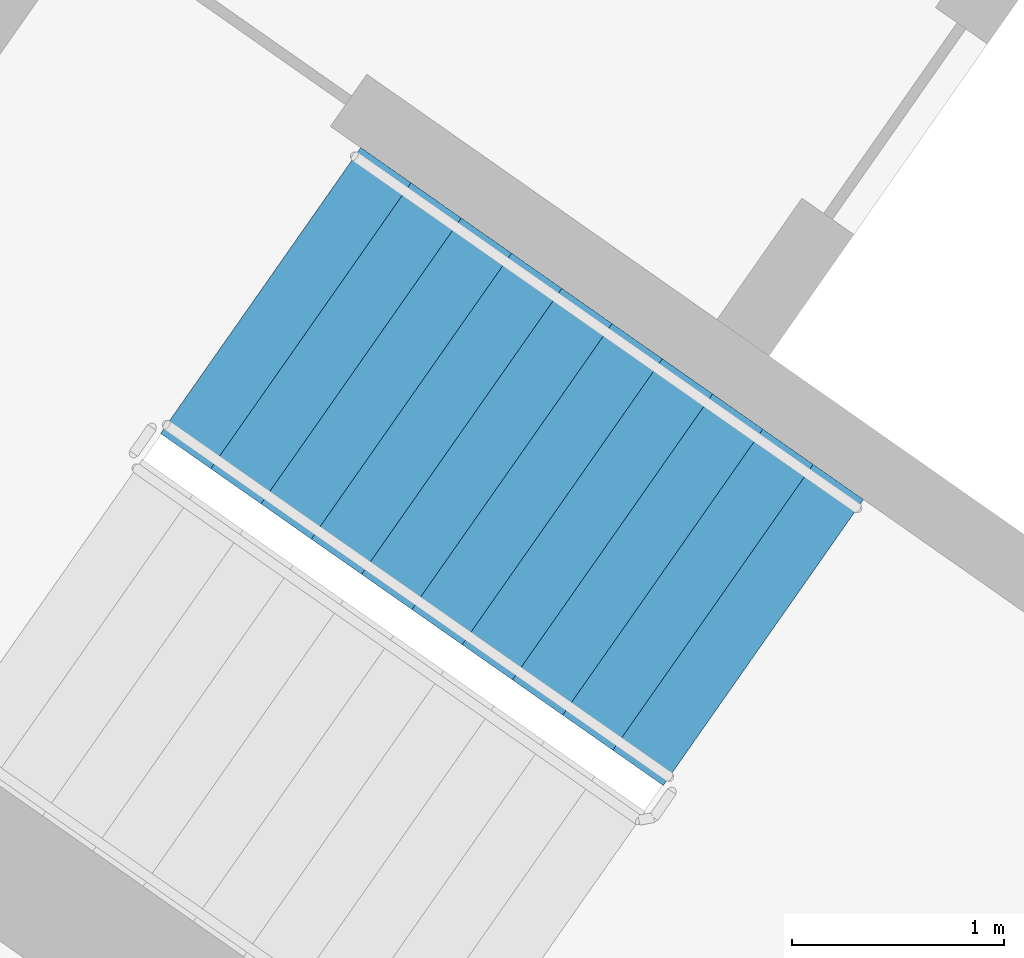
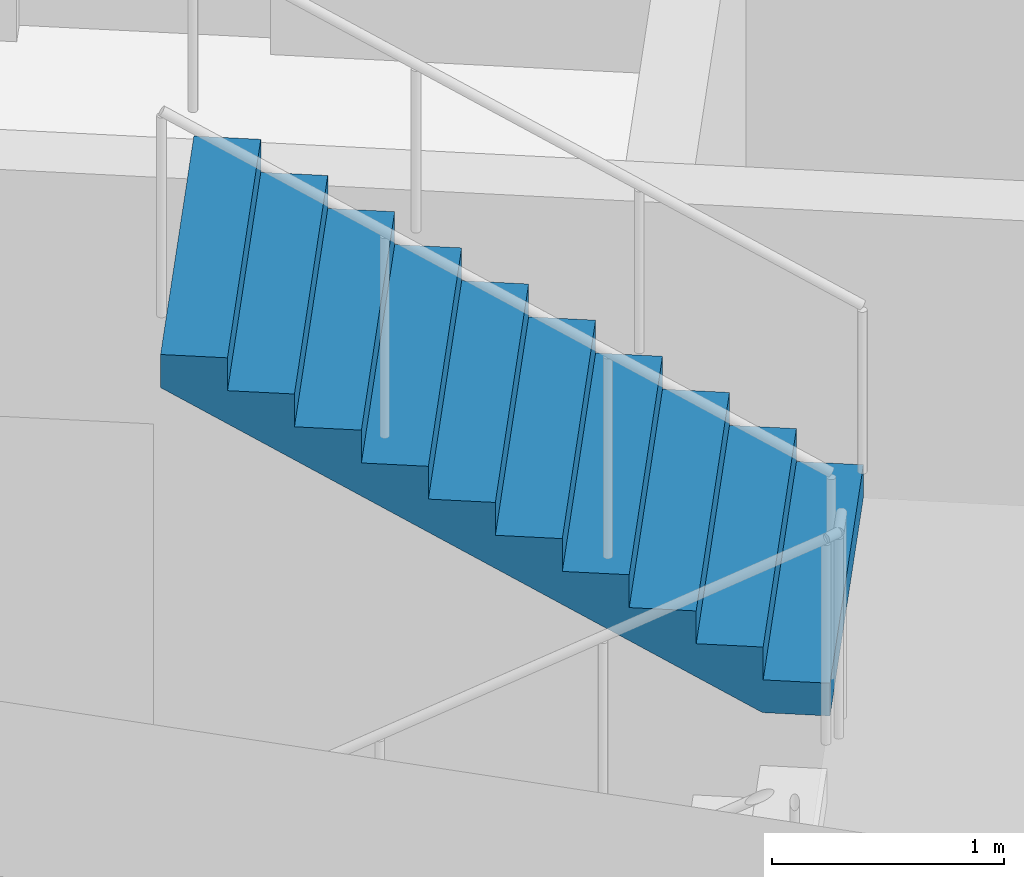
# One storey, part 10 of 27: 1 stair flight, 1 element without a shape of its own.
"""IFC4 building model written with IfcOpenShell, lengths in metres."""

from ifc_helpers import new_model, si_unit, direction, frame, origin, place, context, subcontext, project, spatial, faceted_brep, material, type_object, element, aggregate, save


model = new_model("IFC4")

# Units and contexts
model_context = context("Model", 3, precision=1e-05, world=origin(), true_north=direction((0.0, 1.0)))
body_context = subcontext(model_context, "Body", "Model", "MODEL_VIEW")
ifc_project = project(units=[si_unit("LENGTHUNIT", "METRE"), si_unit("AREAUNIT", "SQUARE_METRE"), si_unit("VOLUMEUNIT", "CUBIC_METRE"), si_unit("PLANEANGLEUNIT", "RADIAN"), si_unit("MASSUNIT", "GRAM", prefix="KILO")], contexts=[model_context])

# Site, building, storey
site_placement = place(None, origin())
site = spatial("IfcSite", under=ifc_project, at=site_placement, CompositionType="ELEMENT")
building_placement = place(site_placement, origin())
building = spatial("IfcBuilding", under=site, at=building_placement, Name="Qamariyya Broadcast Tower", CompositionType="ELEMENT")
storey_placement = place(building_placement, frame((0.0, 0.0, 280.89990234375)))
storey = spatial("IfcBuildingStorey", under=building, at=storey_placement, Name="L68", CompositionType="ELEMENT", Elevation=280.89990234375)

# Stair, stair flight
ifc_material = material(Name="Concrete C50/60", Category="concrete")
stair_type = type_object("IfcStairType", Name="Exit stair 22 risers of 173 mm", PredefinedType="HALF_TURN_STAIR", material=ifc_material)
stair_placement = place(storey_placement, origin())
stair = element("IfcStair", 1, at=stair_placement, inside=storey, type_object=stair_type, Name="L68 Stair W1", PredefinedType="HALF_TURN_STAIR")
stair_flight_type = type_object("IfcStairFlightType", Name="Exit stair flight 11 risers of 173 mm", PredefinedType="STRAIGHT", material=ifc_material)
stair_flight_placement = place(storey_placement, frame((-43.660888671875, -57.17138671875, 1.900146484375), z_axis=(0.0, 0.0, 1.0), x_axis=(-0.819152044289, 0.573576436351, 0.0)))
stair_flight = element("IfcStairFlight", 2, at=stair_flight_placement, type_object=stair_flight_type, Name="ST-W1 flight 2", NumberOfRisers=11, NumberOfTreads=10, PredefinedType="STRAIGHT", RiserHeight=0.172727273, TreadLength=0.29, context=body_context, shape_type="Brep", body=[
    faceted_brep([(0.0, 0.824951171875, 0.0), (0.0, 0.824951171875, 0.172607421875), (0.2900390625, 0.824951171875, 0.172607421875), (0.2900390625, 0.824951171875, 0.345458984375), (0.580078125, 0.824951171875, 0.345458984375), (0.580078125, 0.824951171875, 0.51806640625), (0.8701171875, 0.824951171875, 0.51806640625), (0.8701171875, 0.824951171875, 0.69091796875), (1.159912109375, 0.824951171875, 0.69091796875), (1.159912109375, 0.824951171875, 0.863525390625), (1.449951171875, 0.824951171875, 0.863525390625), (1.449951171875, 0.824951171875, 1.036376953125), (1.739990234375, 0.824951171875, 1.036376953125), (1.739990234375, 0.824951171875, 1.208984375), (2.030029296875, 0.824951171875, 1.208984375), (2.030029296875, 0.824951171875, 1.3818359375), (2.320068359375, 0.824951171875, 1.3818359375), (2.320068359375, 0.824951171875, 1.554443359375), (2.610107421875, 0.824951171875, 1.554443359375), (2.610107421875, 0.824951171875, 1.727294921875), (2.89990234375, 0.824951171875, 1.727294921875), (2.89990234375, 0.824951171875, 1.552734375), (0.29296875, 0.824951171875, 0.0), (0.29296875, -0.824951171875, 0.0), (2.89990234375, -0.824951171875, 1.552734375), (2.89990234375, -0.824951171875, 1.727294921875), (2.610107421875, -0.824951171875, 1.727294921875), (2.610107421875, -0.824951171875, 1.554443359375), (2.320068359375, -0.824951171875, 1.554443359375), (2.320068359375, -0.824951171875, 1.3818359375), (2.030029296875, -0.824951171875, 1.3818359375), (2.030029296875, -0.824951171875, 1.208984375), (1.739990234375, -0.824951171875, 1.208984375), (1.739990234375, -0.824951171875, 1.036376953125), (1.449951171875, -0.824951171875, 1.036376953125), (1.449951171875, -0.824951171875, 0.863525390625), (1.159912109375, -0.824951171875, 0.863525390625), (1.159912109375, -0.824951171875, 0.69091796875), (0.8701171875, -0.824951171875, 0.69091796875), (0.8701171875, -0.824951171875, 0.51806640625), (0.580078125, -0.824951171875, 0.51806640625), (0.580078125, -0.824951171875, 0.345458984375), (0.2900390625, -0.824951171875, 0.345458984375), (0.2900390625, -0.824951171875, 0.172607421875), (0.0, -0.824951171875, 0.172607421875), (0.0, -0.824951171875, 0.0), (0.0, 0.10009765625, 0.0), (0.0, 0.086669921875, 0.0), (0.0, 0.0732421875, 0.0), (0.0, 0.06005859375, 0.0), (0.0, 0.046630859375, 0.0), (0.0, 0.033447265625, 0.0), (0.0, 0.02001953125, 0.0), (0.0, 0.006591796875, 0.0), (0.0, -0.006591796875, 0.0), (0.0, -0.02001953125, 0.0), (0.0, -0.033447265625, 0.0), (0.0, -0.046630859375, 0.0), (0.0, -0.06005859375, 0.0), (0.0, -0.0732421875, 0.0), (0.0, -0.086669921875, 0.0), (0.0, -0.10009765625, 0.0), (0.0, -0.10009765625, 0.172607421875), (0.0, -0.086669921875, 0.172607421875), (0.0, -0.0732421875, 0.172607421875), (0.0, -0.06005859375, 0.172607421875), (0.0, -0.046630859375, 0.172607421875), (0.0, -0.033447265625, 0.172607421875), (0.0, -0.02001953125, 0.172607421875), (0.0, -0.006591796875, 0.172607421875), (0.0, 0.006591796875, 0.172607421875), (0.0, 0.02001953125, 0.172607421875), (0.0, 0.033447265625, 0.172607421875), (0.0, 0.046630859375, 0.172607421875), (0.0, 0.06005859375, 0.172607421875), (0.0, 0.0732421875, 0.172607421875), (0.0, 0.086669921875, 0.172607421875), (0.0, 0.10009765625, 0.172607421875), (0.2900390625, -0.10009765625, 0.172607421875), (0.2900390625, -0.086669921875, 0.172607421875), (0.2900390625, -0.0732421875, 0.172607421875), (0.2900390625, -0.06005859375, 0.172607421875), (0.2900390625, -0.046630859375, 0.172607421875), (0.2900390625, -0.033447265625, 0.172607421875), (0.2900390625, -0.02001953125, 0.172607421875), (0.2900390625, -0.006591796875, 0.172607421875), (0.2900390625, 0.006591796875, 0.172607421875), (0.2900390625, 0.02001953125, 0.172607421875), (0.2900390625, 0.033447265625, 0.172607421875), (0.2900390625, 0.046630859375, 0.172607421875), (0.2900390625, 0.06005859375, 0.172607421875), (0.2900390625, 0.0732421875, 0.172607421875), (0.2900390625, 0.086669921875, 0.172607421875), (0.2900390625, 0.10009765625, 0.172607421875), (0.2900390625, -0.10009765625, 0.345458984375), (0.2900390625, -0.086669921875, 0.345458984375), (0.2900390625, -0.0732421875, 0.345458984375), (0.2900390625, -0.06005859375, 0.345458984375), (0.2900390625, -0.046630859375, 0.345458984375), (0.2900390625, -0.033447265625, 0.345458984375), (0.2900390625, -0.02001953125, 0.345458984375), (0.2900390625, -0.006591796875, 0.345458984375), (0.2900390625, 0.006591796875, 0.345458984375), (0.2900390625, 0.02001953125, 0.345458984375), (0.2900390625, 0.033447265625, 0.345458984375), (0.2900390625, 0.046630859375, 0.345458984375), (0.2900390625, 0.06005859375, 0.345458984375), (0.2900390625, 0.0732421875, 0.345458984375), (0.2900390625, 0.086669921875, 0.345458984375), (0.2900390625, 0.10009765625, 0.345458984375), (0.580078125, -0.10009765625, 0.345458984375), (0.580078125, -0.086669921875, 0.345458984375), (0.580078125, -0.0732421875, 0.345458984375), (0.580078125, -0.06005859375, 0.345458984375), (0.580078125, -0.046630859375, 0.345458984375), (0.580078125, -0.033447265625, 0.345458984375), (0.580078125, -0.02001953125, 0.345458984375), (0.580078125, -0.006591796875, 0.345458984375), (0.580078125, 0.006591796875, 0.345458984375), (0.580078125, 0.02001953125, 0.345458984375), (0.580078125, 0.033447265625, 0.345458984375), (0.580078125, 0.046630859375, 0.345458984375), (0.580078125, 0.06005859375, 0.345458984375), (0.580078125, 0.0732421875, 0.345458984375), (0.580078125, 0.086669921875, 0.345458984375), (0.580078125, 0.10009765625, 0.345458984375), (0.580078125, -0.10009765625, 0.51806640625), (0.580078125, -0.086669921875, 0.51806640625), (0.580078125, -0.0732421875, 0.51806640625), (0.580078125, -0.06005859375, 0.51806640625), (0.580078125, -0.046630859375, 0.51806640625), (0.580078125, -0.033447265625, 0.51806640625), (0.580078125, -0.02001953125, 0.51806640625), (0.580078125, -0.006591796875, 0.51806640625), (0.580078125, 0.006591796875, 0.51806640625), (0.580078125, 0.02001953125, 0.51806640625), (0.580078125, 0.033447265625, 0.51806640625), (0.580078125, 0.046630859375, 0.51806640625), (0.580078125, 0.06005859375, 0.51806640625), (0.580078125, 0.0732421875, 0.51806640625), (0.580078125, 0.086669921875, 0.51806640625), (0.580078125, 0.10009765625, 0.51806640625), (0.8701171875, -0.10009765625, 0.51806640625), (0.8701171875, -0.086669921875, 0.51806640625), (0.8701171875, -0.0732421875, 0.51806640625), (0.8701171875, -0.06005859375, 0.51806640625), (0.8701171875, -0.046630859375, 0.51806640625), (0.8701171875, -0.033447265625, 0.51806640625), (0.8701171875, -0.02001953125, 0.51806640625), (0.8701171875, -0.006591796875, 0.51806640625), (0.8701171875, 0.006591796875, 0.51806640625), (0.8701171875, 0.02001953125, 0.51806640625), (0.8701171875, 0.033447265625, 0.51806640625), (0.8701171875, 0.046630859375, 0.51806640625), (0.8701171875, 0.06005859375, 0.51806640625), (0.8701171875, 0.0732421875, 0.51806640625), (0.8701171875, 0.086669921875, 0.51806640625), (0.8701171875, 0.10009765625, 0.51806640625), (0.8701171875, -0.10009765625, 0.69091796875), (0.8701171875, -0.086669921875, 0.69091796875), (0.8701171875, -0.0732421875, 0.69091796875), (0.8701171875, -0.06005859375, 0.69091796875), (0.8701171875, -0.046630859375, 0.69091796875), (0.8701171875, -0.033447265625, 0.69091796875), (0.8701171875, -0.02001953125, 0.69091796875), (0.8701171875, -0.006591796875, 0.69091796875), (0.8701171875, 0.006591796875, 0.69091796875), (0.8701171875, 0.02001953125, 0.69091796875), (0.8701171875, 0.033447265625, 0.69091796875), (0.8701171875, 0.046630859375, 0.69091796875), (0.8701171875, 0.06005859375, 0.69091796875), (0.8701171875, 0.0732421875, 0.69091796875), (0.8701171875, 0.086669921875, 0.69091796875), (0.8701171875, 0.10009765625, 0.69091796875), (1.159912109375, -0.10009765625, 0.69091796875), (1.159912109375, -0.086669921875, 0.69091796875), (1.159912109375, -0.0732421875, 0.69091796875), (1.159912109375, -0.06005859375, 0.69091796875), (1.159912109375, -0.046630859375, 0.69091796875), (1.159912109375, -0.033447265625, 0.69091796875), (1.159912109375, -0.02001953125, 0.69091796875), (1.159912109375, -0.006591796875, 0.69091796875), (1.159912109375, 0.006591796875, 0.69091796875), (1.159912109375, 0.02001953125, 0.69091796875), (1.159912109375, 0.033447265625, 0.69091796875), (1.159912109375, 0.046630859375, 0.69091796875), (1.159912109375, 0.06005859375, 0.69091796875), (1.159912109375, 0.0732421875, 0.69091796875), (1.159912109375, 0.086669921875, 0.69091796875), (1.159912109375, 0.10009765625, 0.69091796875), (1.159912109375, -0.10009765625, 0.863525390625), (1.159912109375, -0.086669921875, 0.863525390625), (1.159912109375, -0.0732421875, 0.863525390625), (1.159912109375, -0.06005859375, 0.863525390625), (1.159912109375, -0.046630859375, 0.863525390625), (1.159912109375, -0.033447265625, 0.863525390625), (1.159912109375, -0.02001953125, 0.863525390625), (1.159912109375, -0.006591796875, 0.863525390625), (1.159912109375, 0.006591796875, 0.863525390625), (1.159912109375, 0.02001953125, 0.863525390625), (1.159912109375, 0.033447265625, 0.863525390625), (1.159912109375, 0.046630859375, 0.863525390625), (1.159912109375, 0.06005859375, 0.863525390625), (1.159912109375, 0.0732421875, 0.863525390625), (1.159912109375, 0.086669921875, 0.863525390625), (1.159912109375, 0.10009765625, 0.863525390625), (1.449951171875, -0.10009765625, 0.863525390625), (1.449951171875, -0.086669921875, 0.863525390625), (1.449951171875, -0.0732421875, 0.863525390625), (1.449951171875, -0.06005859375, 0.863525390625), (1.449951171875, -0.046630859375, 0.863525390625), (1.449951171875, -0.033447265625, 0.863525390625), (1.449951171875, -0.02001953125, 0.863525390625), (1.449951171875, -0.006591796875, 0.863525390625), (1.449951171875, 0.006591796875, 0.863525390625), (1.449951171875, 0.02001953125, 0.863525390625), (1.449951171875, 0.033447265625, 0.863525390625), (1.449951171875, 0.046630859375, 0.863525390625), (1.449951171875, 0.06005859375, 0.863525390625), (1.449951171875, 0.0732421875, 0.863525390625), (1.449951171875, 0.086669921875, 0.863525390625), (1.449951171875, 0.10009765625, 0.863525390625), (1.449951171875, -0.10009765625, 1.036376953125), (1.449951171875, -0.086669921875, 1.036376953125), (1.449951171875, -0.0732421875, 1.036376953125), (1.449951171875, -0.06005859375, 1.036376953125), (1.449951171875, -0.046630859375, 1.036376953125), (1.449951171875, -0.033447265625, 1.036376953125), (1.449951171875, -0.02001953125, 1.036376953125), (1.449951171875, -0.006591796875, 1.036376953125), (1.449951171875, 0.006591796875, 1.036376953125), (1.449951171875, 0.02001953125, 1.036376953125), (1.449951171875, 0.033447265625, 1.036376953125), (1.449951171875, 0.046630859375, 1.036376953125), (1.449951171875, 0.06005859375, 1.036376953125), (1.449951171875, 0.0732421875, 1.036376953125), (1.449951171875, 0.086669921875, 1.036376953125), (1.449951171875, 0.10009765625, 1.036376953125), (1.739990234375, -0.10009765625, 1.036376953125), (1.739990234375, -0.086669921875, 1.036376953125), (1.739990234375, -0.0732421875, 1.036376953125), (1.739990234375, -0.06005859375, 1.036376953125), (1.739990234375, -0.046630859375, 1.036376953125), (1.739990234375, -0.033447265625, 1.036376953125), (1.739990234375, -0.02001953125, 1.036376953125), (1.739990234375, -0.006591796875, 1.036376953125), (1.739990234375, 0.006591796875, 1.036376953125), (1.739990234375, 0.02001953125, 1.036376953125), (1.739990234375, 0.033447265625, 1.036376953125), (1.739990234375, 0.046630859375, 1.036376953125), (1.739990234375, 0.06005859375, 1.036376953125), (1.739990234375, 0.0732421875, 1.036376953125), (1.739990234375, 0.086669921875, 1.036376953125), (1.739990234375, 0.10009765625, 1.036376953125), (1.739990234375, -0.10009765625, 1.208984375), (1.739990234375, -0.086669921875, 1.208984375), (1.739990234375, -0.0732421875, 1.208984375), (1.739990234375, -0.06005859375, 1.208984375), (1.739990234375, -0.046630859375, 1.208984375), (1.739990234375, -0.033447265625, 1.208984375), (1.739990234375, -0.02001953125, 1.208984375), (1.739990234375, -0.006591796875, 1.208984375), (1.739990234375, 0.006591796875, 1.208984375), (1.739990234375, 0.02001953125, 1.208984375), (1.739990234375, 0.033447265625, 1.208984375), (1.739990234375, 0.046630859375, 1.208984375), (1.739990234375, 0.06005859375, 1.208984375), (1.739990234375, 0.0732421875, 1.208984375), (1.739990234375, 0.086669921875, 1.208984375), (1.739990234375, 0.10009765625, 1.208984375), (2.030029296875, -0.10009765625, 1.208984375), (2.030029296875, -0.086669921875, 1.208984375), (2.030029296875, -0.0732421875, 1.208984375), (2.030029296875, -0.06005859375, 1.208984375), (2.030029296875, -0.046630859375, 1.208984375), (2.030029296875, -0.033447265625, 1.208984375), (2.030029296875, -0.02001953125, 1.208984375), (2.030029296875, -0.006591796875, 1.208984375), (2.030029296875, 0.006591796875, 1.208984375), (2.030029296875, 0.02001953125, 1.208984375), (2.030029296875, 0.033447265625, 1.208984375), (2.030029296875, 0.046630859375, 1.208984375), (2.030029296875, 0.06005859375, 1.208984375), (2.030029296875, 0.0732421875, 1.208984375), (2.030029296875, 0.086669921875, 1.208984375), (2.030029296875, 0.10009765625, 1.208984375), (2.030029296875, -0.10009765625, 1.3818359375), (2.030029296875, -0.086669921875, 1.3818359375), (2.030029296875, -0.0732421875, 1.3818359375), (2.030029296875, -0.06005859375, 1.3818359375), (2.030029296875, -0.046630859375, 1.3818359375), (2.030029296875, -0.033447265625, 1.3818359375), (2.030029296875, -0.02001953125, 1.3818359375), (2.030029296875, -0.006591796875, 1.3818359375), (2.030029296875, 0.006591796875, 1.3818359375), (2.030029296875, 0.02001953125, 1.3818359375), (2.030029296875, 0.033447265625, 1.3818359375), (2.030029296875, 0.046630859375, 1.3818359375), (2.030029296875, 0.06005859375, 1.3818359375), (2.030029296875, 0.0732421875, 1.3818359375), (2.030029296875, 0.086669921875, 1.3818359375), (2.030029296875, 0.10009765625, 1.3818359375), (2.320068359375, -0.10009765625, 1.3818359375), (2.320068359375, -0.086669921875, 1.3818359375), (2.320068359375, -0.0732421875, 1.3818359375), (2.320068359375, -0.06005859375, 1.3818359375), (2.320068359375, -0.046630859375, 1.3818359375), (2.320068359375, -0.033447265625, 1.3818359375), (2.320068359375, -0.02001953125, 1.3818359375), (2.320068359375, -0.006591796875, 1.3818359375), (2.320068359375, 0.006591796875, 1.3818359375), (2.320068359375, 0.02001953125, 1.3818359375), (2.320068359375, 0.033447265625, 1.3818359375), (2.320068359375, 0.046630859375, 1.3818359375), (2.320068359375, 0.06005859375, 1.3818359375), (2.320068359375, 0.0732421875, 1.3818359375), (2.320068359375, 0.086669921875, 1.3818359375), (2.320068359375, 0.10009765625, 1.3818359375), (2.320068359375, -0.10009765625, 1.554443359375), (2.320068359375, -0.086669921875, 1.554443359375), (2.320068359375, -0.0732421875, 1.554443359375), (2.320068359375, -0.06005859375, 1.554443359375), (2.320068359375, -0.046630859375, 1.554443359375), (2.320068359375, -0.033447265625, 1.554443359375), (2.320068359375, -0.02001953125, 1.554443359375), (2.320068359375, -0.006591796875, 1.554443359375), (2.320068359375, 0.006591796875, 1.554443359375), (2.320068359375, 0.02001953125, 1.554443359375), (2.320068359375, 0.033447265625, 1.554443359375), (2.320068359375, 0.046630859375, 1.554443359375), (2.320068359375, 0.06005859375, 1.554443359375), (2.320068359375, 0.0732421875, 1.554443359375), (2.320068359375, 0.086669921875, 1.554443359375), (2.320068359375, 0.10009765625, 1.554443359375), (2.610107421875, -0.10009765625, 1.554443359375), (2.610107421875, -0.086669921875, 1.554443359375), (2.610107421875, -0.0732421875, 1.554443359375), (2.610107421875, -0.06005859375, 1.554443359375), (2.610107421875, -0.046630859375, 1.554443359375), (2.610107421875, -0.033447265625, 1.554443359375), (2.610107421875, -0.02001953125, 1.554443359375), (2.610107421875, -0.006591796875, 1.554443359375), (2.610107421875, 0.006591796875, 1.554443359375), (2.610107421875, 0.02001953125, 1.554443359375), (2.610107421875, 0.033447265625, 1.554443359375), (2.610107421875, 0.046630859375, 1.554443359375), (2.610107421875, 0.06005859375, 1.554443359375), (2.610107421875, 0.0732421875, 1.554443359375), (2.610107421875, 0.086669921875, 1.554443359375), (2.610107421875, 0.10009765625, 1.554443359375), (2.610107421875, -0.10009765625, 1.727294921875), (2.610107421875, -0.086669921875, 1.727294921875), (2.610107421875, -0.0732421875, 1.727294921875), (2.610107421875, -0.06005859375, 1.727294921875), (2.610107421875, -0.046630859375, 1.727294921875), (2.610107421875, -0.033447265625, 1.727294921875), (2.610107421875, -0.02001953125, 1.727294921875), (2.610107421875, -0.006591796875, 1.727294921875), (2.610107421875, 0.006591796875, 1.727294921875), (2.610107421875, 0.02001953125, 1.727294921875), (2.610107421875, 0.033447265625, 1.727294921875), (2.610107421875, 0.046630859375, 1.727294921875), (2.610107421875, 0.06005859375, 1.727294921875), (2.610107421875, 0.0732421875, 1.727294921875), (2.610107421875, 0.086669921875, 1.727294921875), (2.610107421875, 0.10009765625, 1.727294921875), (2.89990234375, -0.10009765625, 1.727294921875), (2.89990234375, -0.086669921875, 1.727294921875), (2.89990234375, -0.0732421875, 1.727294921875), (2.89990234375, -0.06005859375, 1.727294921875), (2.89990234375, -0.046630859375, 1.727294921875), (2.89990234375, -0.033447265625, 1.727294921875), (2.89990234375, -0.02001953125, 1.727294921875), (2.89990234375, -0.006591796875, 1.727294921875), (2.89990234375, 0.006591796875, 1.727294921875), (2.89990234375, 0.02001953125, 1.727294921875), (2.89990234375, 0.033447265625, 1.727294921875), (2.89990234375, 0.046630859375, 1.727294921875), (2.89990234375, 0.06005859375, 1.727294921875), (2.89990234375, 0.0732421875, 1.727294921875), (2.89990234375, 0.086669921875, 1.727294921875), (2.89990234375, 0.10009765625, 1.727294921875), (2.89990234375, -0.10009765625, 1.552734375), (2.89990234375, -0.086669921875, 1.552734375), (2.89990234375, -0.0732421875, 1.552734375), (2.89990234375, -0.06005859375, 1.552734375), (2.89990234375, -0.046630859375, 1.552734375), (2.89990234375, -0.033447265625, 1.552734375), (2.89990234375, -0.02001953125, 1.552734375), (2.89990234375, -0.006591796875, 1.552734375), (2.89990234375, 0.006591796875, 1.552734375), (2.89990234375, 0.02001953125, 1.552734375), (2.89990234375, 0.033447265625, 1.552734375), (2.89990234375, 0.046630859375, 1.552734375), (2.89990234375, 0.06005859375, 1.552734375), (2.89990234375, 0.0732421875, 1.552734375), (2.89990234375, 0.086669921875, 1.552734375), (2.89990234375, 0.10009765625, 1.552734375), (0.29296875, -0.10009765625, 0.0), (0.29296875, -0.086669921875, 0.0), (0.29296875, -0.0732421875, 0.0), (0.29296875, -0.06005859375, 0.0), (0.29296875, -0.046630859375, 0.0), (0.29296875, -0.033447265625, 0.0), (0.29296875, -0.02001953125, 0.0), (0.29296875, -0.006591796875, 0.0), (0.29296875, 0.006591796875, 0.0), (0.29296875, 0.02001953125, 0.0), (0.29296875, 0.033447265625, 0.0), (0.29296875, 0.046630859375, 0.0), (0.29296875, 0.06005859375, 0.0), (0.29296875, 0.0732421875, 0.0), (0.29296875, 0.086669921875, 0.0), (0.29296875, 0.10009765625, 0.0)], [[[0, 1, 2, 3, 4, 5, 6, 7, 8, 9, 10, 11, 12, 13, 14, 15, 16, 17, 18, 19, 20, 21, 22]], [[23, 24, 25, 26, 27, 28, 29, 30, 31, 32, 33, 34, 35, 36, 37, 38, 39, 40, 41, 42, 43, 44, 45]], [[0, 46, 47, 48, 49, 50, 51, 52, 53, 54, 55, 56, 57, 58, 59, 60, 61, 45, 44, 62, 63, 64, 65, 66, 67, 68, 69, 70, 71, 72, 73, 74, 75, 76, 77, 1]], [[1, 77, 76, 75, 74, 73, 72, 71, 70, 69, 68, 67, 66, 65, 64, 63, 62, 44, 43, 78, 79, 80, 81, 82, 83, 84, 85, 86, 87, 88, 89, 90, 91, 92, 93, 2]], [[2, 93, 92, 91, 90, 89, 88, 87, 86, 85, 84, 83, 82, 81, 80, 79, 78, 43, 42, 94, 95, 96, 97, 98, 99, 100, 101, 102, 103, 104, 105, 106, 107, 108, 109, 3]], [[3, 109, 108, 107, 106, 105, 104, 103, 102, 101, 100, 99, 98, 97, 96, 95, 94, 42, 41, 110, 111, 112, 113, 114, 115, 116, 117, 118, 119, 120, 121, 122, 123, 124, 125, 4]], [[4, 125, 124, 123, 122, 121, 120, 119, 118, 117, 116, 115, 114, 113, 112, 111, 110, 41, 40, 126, 127, 128, 129, 130, 131, 132, 133, 134, 135, 136, 137, 138, 139, 140, 141, 5]], [[5, 141, 140, 139, 138, 137, 136, 135, 134, 133, 132, 131, 130, 129, 128, 127, 126, 40, 39, 142, 143, 144, 145, 146, 147, 148, 149, 150, 151, 152, 153, 154, 155, 156, 157, 6]], [[6, 157, 156, 155, 154, 153, 152, 151, 150, 149, 148, 147, 146, 145, 144, 143, 142, 39, 38, 158, 159, 160, 161, 162, 163, 164, 165, 166, 167, 168, 169, 170, 171, 172, 173, 7]], [[7, 173, 172, 171, 170, 169, 168, 167, 166, 165, 164, 163, 162, 161, 160, 159, 158, 38, 37, 174, 175, 176, 177, 178, 179, 180, 181, 182, 183, 184, 185, 186, 187, 188, 189, 8]], [[8, 189, 188, 187, 186, 185, 184, 183, 182, 181, 180, 179, 178, 177, 176, 175, 174, 37, 36, 190, 191, 192, 193, 194, 195, 196, 197, 198, 199, 200, 201, 202, 203, 204, 205, 9]], [[9, 205, 204, 203, 202, 201, 200, 199, 198, 197, 196, 195, 194, 193, 192, 191, 190, 36, 35, 206, 207, 208, 209, 210, 211, 212, 213, 214, 215, 216, 217, 218, 219, 220, 221, 10]], [[10, 221, 220, 219, 218, 217, 216, 215, 214, 213, 212, 211, 210, 209, 208, 207, 206, 35, 34, 222, 223, 224, 225, 226, 227, 228, 229, 230, 231, 232, 233, 234, 235, 236, 237, 11]], [[11, 237, 236, 235, 234, 233, 232, 231, 230, 229, 228, 227, 226, 225, 224, 223, 222, 34, 33, 238, 239, 240, 241, 242, 243, 244, 245, 246, 247, 248, 249, 250, 251, 252, 253, 12]], [[12, 253, 252, 251, 250, 249, 248, 247, 246, 245, 244, 243, 242, 241, 240, 239, 238, 33, 32, 254, 255, 256, 257, 258, 259, 260, 261, 262, 263, 264, 265, 266, 267, 268, 269, 13]], [[13, 269, 268, 267, 266, 265, 264, 263, 262, 261, 260, 259, 258, 257, 256, 255, 254, 32, 31, 270, 271, 272, 273, 274, 275, 276, 277, 278, 279, 280, 281, 282, 283, 284, 285, 14]], [[14, 285, 284, 283, 282, 281, 280, 279, 278, 277, 276, 275, 274, 273, 272, 271, 270, 31, 30, 286, 287, 288, 289, 290, 291, 292, 293, 294, 295, 296, 297, 298, 299, 300, 301, 15]], [[15, 301, 300, 299, 298, 297, 296, 295, 294, 293, 292, 291, 290, 289, 288, 287, 286, 30, 29, 302, 303, 304, 305, 306, 307, 308, 309, 310, 311, 312, 313, 314, 315, 316, 317, 16]], [[16, 317, 316, 315, 314, 313, 312, 311, 310, 309, 308, 307, 306, 305, 304, 303, 302, 29, 28, 318, 319, 320, 321, 322, 323, 324, 325, 326, 327, 328, 329, 330, 331, 332, 333, 17]], [[17, 333, 332, 331, 330, 329, 328, 327, 326, 325, 324, 323, 322, 321, 320, 319, 318, 28, 27, 334, 335, 336, 337, 338, 339, 340, 341, 342, 343, 344, 345, 346, 347, 348, 349, 18]], [[18, 349, 348, 347, 346, 345, 344, 343, 342, 341, 340, 339, 338, 337, 336, 335, 334, 27, 26, 350, 351, 352, 353, 354, 355, 356, 357, 358, 359, 360, 361, 362, 363, 364, 365, 19]], [[19, 365, 364, 363, 362, 361, 360, 359, 358, 357, 356, 355, 354, 353, 352, 351, 350, 26, 25, 366, 367, 368, 369, 370, 371, 372, 373, 374, 375, 376, 377, 378, 379, 380, 381, 20]], [[20, 381, 380, 379, 378, 377, 376, 375, 374, 373, 372, 371, 370, 369, 368, 367, 366, 25, 24, 382, 383, 384, 385, 386, 387, 388, 389, 390, 391, 392, 393, 394, 395, 396, 397, 21]], [[21, 397, 396, 395, 394, 393, 392, 391, 390, 389, 388, 387, 386, 385, 384, 383, 382, 24, 23, 398, 399, 400, 401, 402, 403, 404, 405, 406, 407, 408, 409, 410, 411, 412, 413, 22]], [[22, 413, 412, 411, 410, 409, 408, 407, 406, 405, 404, 403, 402, 401, 400, 399, 398, 23, 45, 61, 60, 59, 58, 57, 56, 55, 54, 53, 52, 51, 50, 49, 48, 47, 46, 0]]]),
])
aggregate(stair, [stair_flight])

save(model, "model.ifc")
